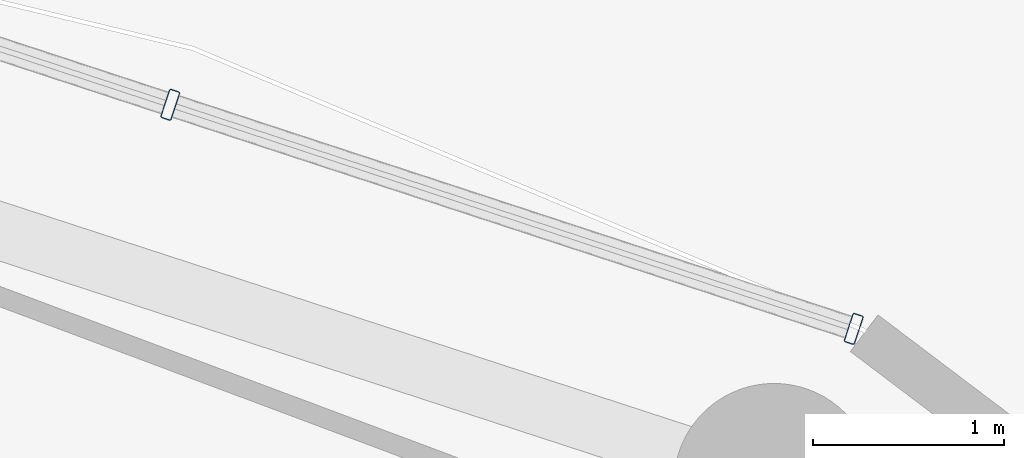
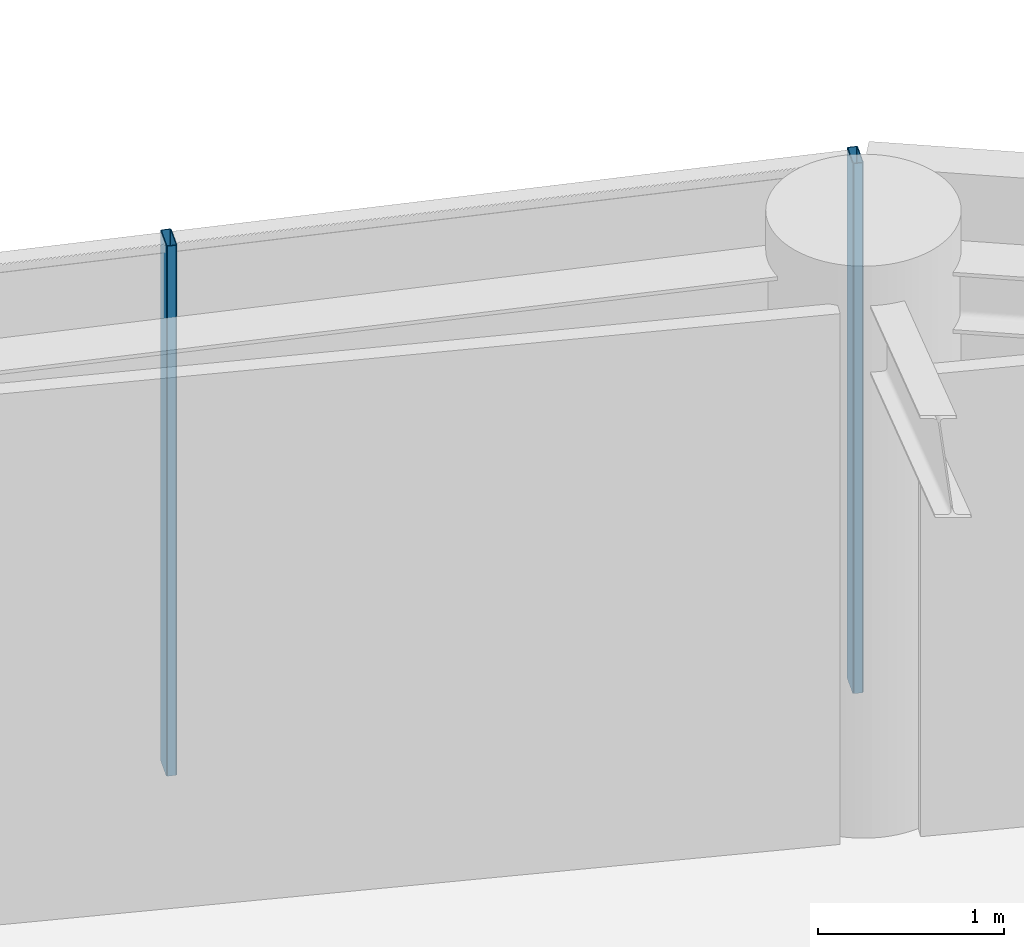
# One storey, part 21 of 30: 2 members, 1 element without a shape of its own.
"""IFC4 building model written with IfcOpenShell, lengths in metres."""

from ifc_helpers import new_model, si_unit, direction, frame, origin, origin_2d, place, context, subcontext, project, spatial, hollow_rectangle, extrude, material, layer, layer_set, material_profile, profile_set, type_object, element, aggregate, save


model = new_model("IFC4")

# Units and contexts
model_context = context("Model", 3, precision=1e-05, world=origin(), true_north=direction((0.0, 1.0)))
body_context = subcontext(model_context, "Body", "Model", "MODEL_VIEW")
ifc_project = project(units=[si_unit("LENGTHUNIT", "METRE"), si_unit("AREAUNIT", "SQUARE_METRE"), si_unit("VOLUMEUNIT", "CUBIC_METRE"), si_unit("PLANEANGLEUNIT", "RADIAN"), si_unit("MASSUNIT", "GRAM", prefix="KILO")], contexts=[model_context])

# Site, building, storey
site_placement = place(None, origin())
site = spatial("IfcSite", under=ifc_project, at=site_placement, CompositionType="ELEMENT")
building_placement = place(site_placement, origin())
building = spatial("IfcBuilding", under=site, at=building_placement, Name="Kelanora Arch Commons", CompositionType="ELEMENT")
storey_placement = place(building_placement, frame((0.0, 0.0, 215.699951171875)))
storey = spatial("IfcBuildingStorey", under=building, at=storey_placement, Name="L55", CompositionType="ELEMENT", Elevation=215.699951171875)

# Curtain wall, members
ifc_material_1 = material(Name="Terracotta ceramic-fritted low-E glass and aluminium", Category="masonry")
ifc_layer = layer(ifc_material_1, 0.175048828125)
ifc_layer_set = layer_set([ifc_layer], Name="Terracotta ceramic-fritted low-E glass and aluminium")
curtain_wall_type = type_object("IfcCurtainWallType", Name="CW-SYS-02", PredefinedType="NOTDEFINED", material=ifc_layer_set)
curtain_wall_placement = place(storey_placement, origin())
curtain_wall = element("IfcCurtainWall", 1, at=curtain_wall_placement, inside=storey, type_object=curtain_wall_type, Name="Unitised Curtain Wall L55-B03", PredefinedType="NOTDEFINED")
ifc_material_2 = material(Name="Powder-coated aluminium terracotta", Category="masonry")
ifc_material_profile = material_profile(ifc_material_2, hollow_rectangle(XDim=0.159912109375, YDim=0.06005859375, WallThickness=0.0048828125, InnerFilletRadius=0.0048828125, OuterFilletRadius=0.010009765625, at=origin_2d()), Name="CWM160x60")
ifc_profile_set = profile_set([ifc_material_profile], Name="Powder-coated aluminium terracotta")
member_type = type_object("IfcMemberType", Name="CWM-STD", PredefinedType="MULLION", material=ifc_profile_set)
member_1_placement = place(storey_placement, frame((85.05712890625, 75.33447265625, 0.0), z_axis=(0.0, 0.0, 1.0), x_axis=(-0.311582439059, -0.950219124029, 0.0)))
member_1 = element("IfcMember", 2, at=member_1_placement, type_object=member_type, Name="CW-02 mullion 1", PredefinedType="MULLION", context=body_context, shape_type="SweptSolid", body=[
    extrude(hollow_rectangle(XDim=0.159912109375, YDim=0.06005859375, WallThickness=0.0048828125, InnerFilletRadius=0.0048828125, OuterFilletRadius=0.010009765625, at=origin_2d()), origin(), (0.0, 0.0, 1.0), 3.47509765625),
])
member_2_placement = place(storey_placement, frame((81.4775390625, 76.50830078125, 0.0), z_axis=(0.0, 0.0, 1.0), x_axis=(-0.311582439059, -0.950219124029, 0.0)))
member_2 = element("IfcMember", 3, at=member_2_placement, type_object=member_type, Name="CW-02 mullion 2", PredefinedType="MULLION", context=body_context, shape_type="SweptSolid", body=[
    extrude(hollow_rectangle(XDim=0.159912109375, YDim=0.06005859375, WallThickness=0.0048828125, InnerFilletRadius=0.0048828125, OuterFilletRadius=0.010009765625, at=origin_2d()), origin(), (0.0, 0.0, 1.0), 3.47509765625),
])
aggregate(curtain_wall, [member_1, member_2])

save(model, "model.ifc")
